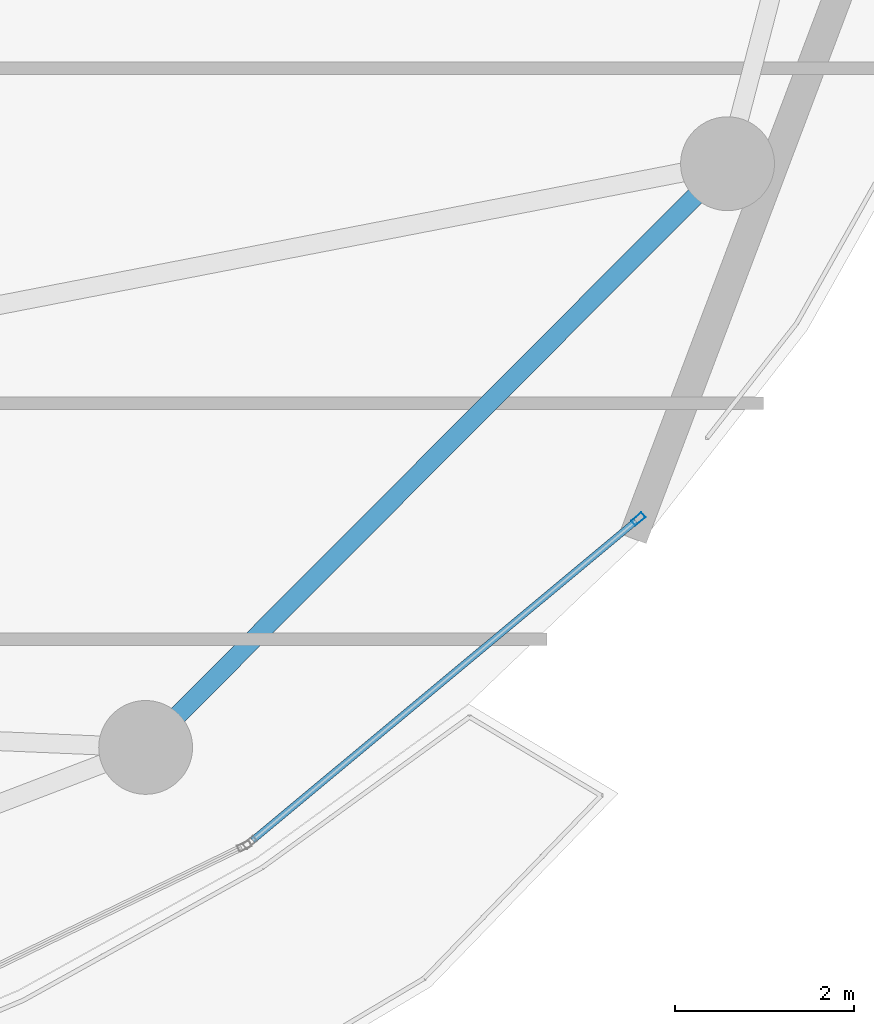
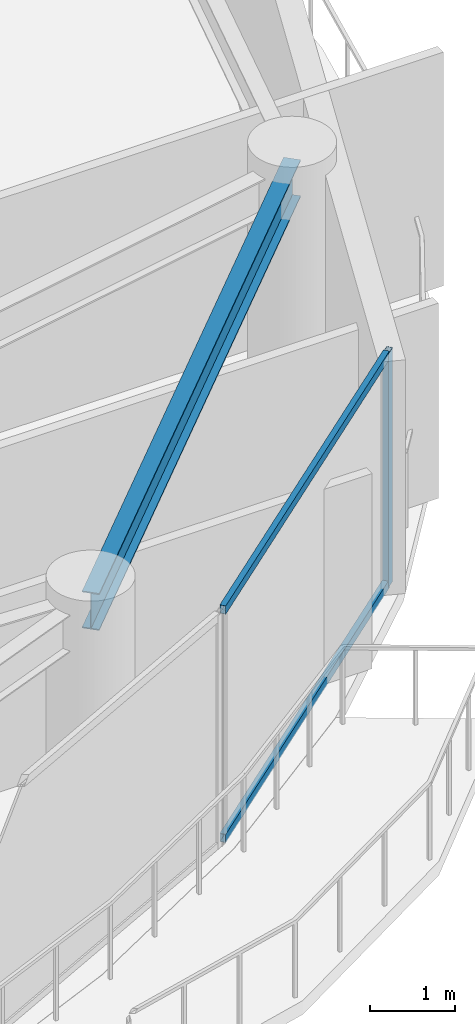
# One storey, part 14 of 31: 3 members, 1 beam, 1 element without a shape of its own.
"""IFC4 building model written with IfcOpenShell, lengths in metres."""

from ifc_helpers import new_model, si_unit, direction, frame, origin, origin_2d, place, context, subcontext, project, spatial, hollow_rectangle, i_section, extrude, material, layer, layer_set, material_profile, profile_set, type_object, element, aggregate, save


model = new_model("IFC4")

# Units and contexts
model_context = context("Model", 3, precision=1e-05, world=origin(), true_north=direction((0.0, 1.0)))
body_context = subcontext(model_context, "Body", "Model", "MODEL_VIEW")
ifc_project = project(units=[si_unit("LENGTHUNIT", "METRE"), si_unit("AREAUNIT", "SQUARE_METRE"), si_unit("VOLUMEUNIT", "CUBIC_METRE"), si_unit("PLANEANGLEUNIT", "RADIAN"), si_unit("MASSUNIT", "GRAM", prefix="KILO")], contexts=[model_context])

# Site, building, storey
site_placement = place(None, origin())
site = spatial("IfcSite", under=ifc_project, at=site_placement, CompositionType="ELEMENT")
building_placement = place(site_placement, origin())
building = spatial("IfcBuilding", under=site, at=building_placement, Name="Kazevale Care Tower and Concert Hall", CompositionType="ELEMENT")
storey_placement = place(building_placement, frame((0.0, 0.0, 220.800048828125)))
storey = spatial("IfcBuildingStorey", under=building, at=storey_placement, Name="L58", CompositionType="ELEMENT", Elevation=220.800048828125)

# Curtain wall, members
ifc_material_1 = material(Name="Aluminium 6063-T6 and Low-E Glass", Category="aluminium")
ifc_layer = layer(ifc_material_1, 0.179931640625)
ifc_layer_set = layer_set([ifc_layer], Name="Aluminium 6063-T6 and Low-E Glass")
curtain_wall_type = type_object("IfcCurtainWallType", Name="Sheltered Concave Balcony Curtain Wall CW-5", PredefinedType="NOTDEFINED", material=ifc_layer_set)
curtain_wall_placement = place(storey_placement, origin())
curtain_wall = element("IfcCurtainWall", 1, at=curtain_wall_placement, inside=storey, type_object=curtain_wall_type, Name="cw:L58:f02", PredefinedType="NOTDEFINED")
ifc_material_2 = material(Name="Aluminium 6063-T6", Category="aluminium")
ifc_material_profile_1 = material_profile(ifc_material_2, hollow_rectangle(XDim=0.074951171875, YDim=0.14990234375, WallThickness=0.00390625, at=origin_2d()), Name="ALU75x150x4")
ifc_profile_set_1 = profile_set([ifc_material_profile_1], Name="Aluminium 6063-T6")
member_type_1 = type_object("IfcMemberType", Name="CW-5 Mullion ALU75x150x4", PredefinedType="MULLION", material=ifc_profile_set_1)
member_1_placement = place(storey_placement, frame((71.76318359375, 25.2060546875, 0.0), z_axis=(0.0, 0.0, 1.0), x_axis=(0.639961217204, -0.768407210062, 0.0)))
member_1 = element("IfcMember", 2, at=member_1_placement, type_object=member_type_1, Name="CW-5 mullion 1", PredefinedType="MULLION", context=body_context, shape_type="SweptSolid", body=[
    extrude(hollow_rectangle(XDim=0.074951171875, YDim=0.14990234375, WallThickness=0.00390625, at=origin_2d()), origin(), (0.0, 0.0, 1.0), 3.35986328125),
])
ifc_material_profile_2 = material_profile(ifc_material_2, hollow_rectangle(XDim=0.074951171875, YDim=0.1201171875, WallThickness=0.00390625, at=origin_2d()), Name="ALU75x120x4")
ifc_profile_set_2 = profile_set([ifc_material_profile_2], Name="Aluminium 6063-T6")
member_type_2 = type_object("IfcMemberType", Name="CW-5 Transom ALU75x120x4", PredefinedType="USERDEFINED", material=ifc_profile_set_2)
member_2_placement = place(storey_placement, frame((71.734375, 25.181884765625, 0.037353515625), z_axis=(-0.768432829708, -0.639930454211, 0.0), x_axis=(0.639930454211, -0.768432829708, 0.0)))
member_2 = element("IfcMember", 3, at=member_2_placement, type_object=member_type_2, Name="CW-5 transom 1.1", ObjectType="TRANSOM", PredefinedType="USERDEFINED", context=body_context, shape_type="SweptSolid", body=[
    extrude(hollow_rectangle(XDim=0.074951171875, YDim=0.1201171875, WallThickness=0.00390625, at=origin_2d()), origin(), (0.0, 0.0, 1.0), 5.580078125),
])
member_3_placement = place(storey_placement, frame((71.734375, 25.181884765625, 3.322509765625), z_axis=(-0.768432829708, -0.639930454211, 0.0), x_axis=(0.639930454211, -0.768432829708, 0.0)))
member_3 = element("IfcMember", 4, at=member_3_placement, type_object=member_type_2, Name="CW-5 transom 1.2", ObjectType="TRANSOM", PredefinedType="USERDEFINED", context=body_context, shape_type="SweptSolid", body=[
    extrude(hollow_rectangle(XDim=0.074951171875, YDim=0.1201171875, WallThickness=0.00390625, at=origin_2d()), origin(), (0.0, 0.0, 1.0), 5.580078125),
])
aggregate(curtain_wall, [member_1, member_2, member_3])

# Beam
ifc_material_3 = material(Name="Steel ASTM A572 Gr 50", Category="steel")
ifc_material_profile_3 = material_profile(ifc_material_3, i_section(OverallWidth=0.208984375, OverallDepth=0.532958984375, WebThickness=0.01025390625, FlangeThickness=0.015625, at=origin_2d()), Name="W530x92")
ifc_profile_set_3 = profile_set([ifc_material_profile_3], Name="Steel ASTM A572 Gr 50")
beam_type = type_object("IfcBeamType", Name="Upper Ring Beam W530x92", PredefinedType="BEAM", material=ifc_profile_set_3)
beam_placement = place(storey_placement, frame((66.25, 22.64990234375, 3.093505859375), z_axis=(0.706020373708, 0.708191522054, 0.0), x_axis=(-0.708191522054, 0.706020373708, 0.0)))
element("IfcBeam", 5, at=beam_placement, inside=storey, type_object=beam_type, Name="beam:L58:ring:15", PredefinedType="BEAM", context=body_context, shape_type="SweptSolid", body=[
    extrude(i_section(OverallWidth=0.208984375, OverallDepth=0.532958984375, WebThickness=0.01025390625, FlangeThickness=0.015625, at=origin_2d()), origin(), (0.0, 0.0, 1.0), 9.220703125),
])

save(model, "model.ifc")
